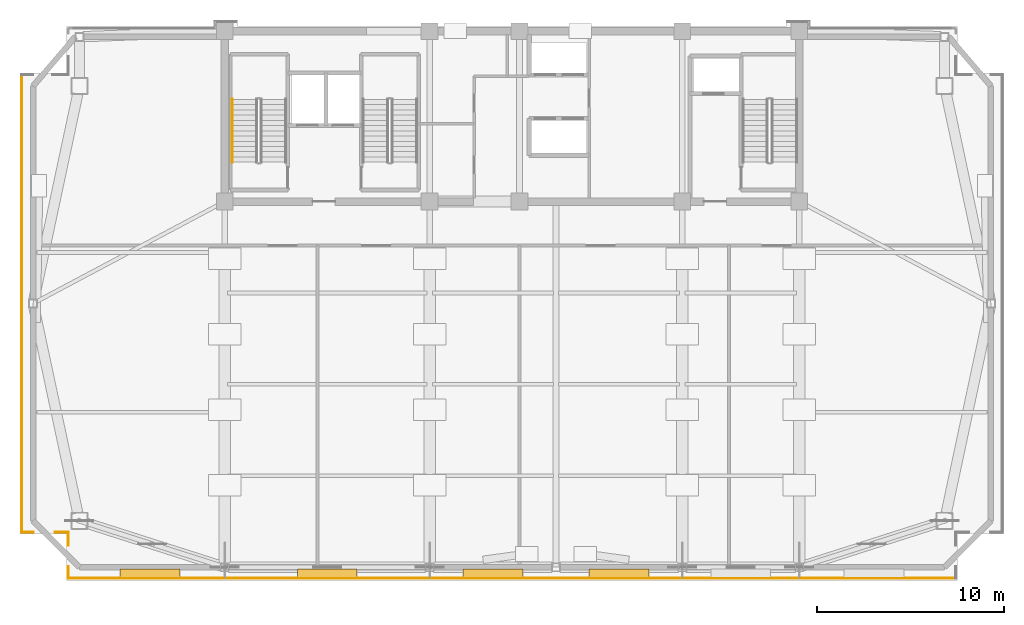
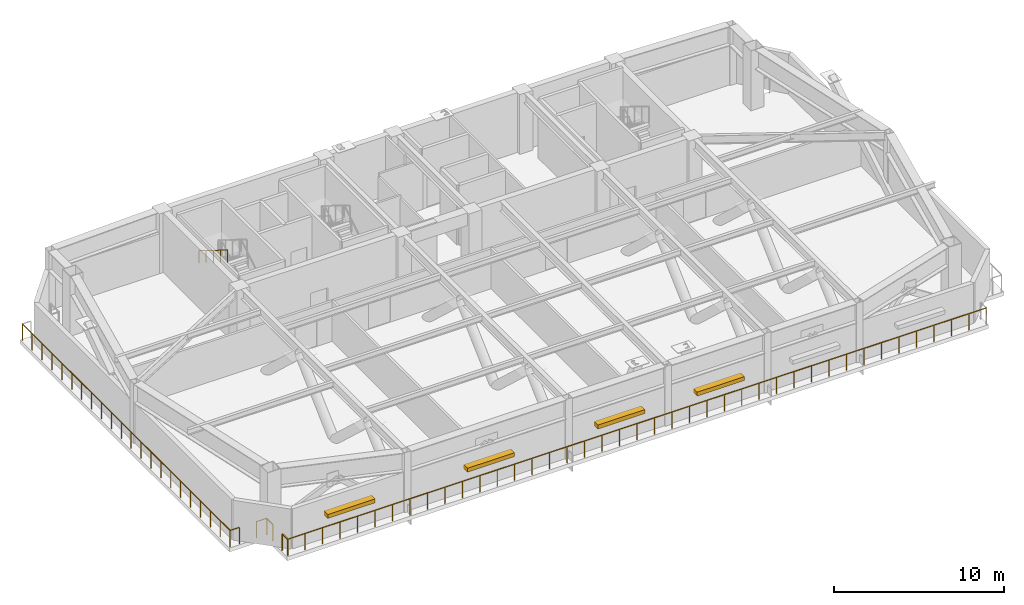
# One storey, part 6 of 8: 7 railings, 4 shading devices.
"""IFC4 building model written with IfcOpenShell, lengths in metres."""

from ifc_helpers import new_model, si_unit, direction, frame, origin, origin_2d, place, context, subcontext, project, spatial, rectangle, extrude, source, transform, mapped, material, type_object, element, save


model = new_model("IFC4")

# Units and contexts
model_context = context("Model", 3, precision=1e-05, world=origin(), true_north=direction((0.0, 1.0)))
body_context = subcontext(model_context, "Body", "Model", "MODEL_VIEW")
ifc_project = project(units=[si_unit("LENGTHUNIT", "METRE"), si_unit("AREAUNIT", "SQUARE_METRE"), si_unit("VOLUMEUNIT", "CUBIC_METRE"), si_unit("PLANEANGLEUNIT", "RADIAN"), si_unit("MASSUNIT", "GRAM", prefix="KILO")], contexts=[model_context])

# Site, building, storey
site_placement = place(None, origin())
site = spatial("IfcSite", under=ifc_project, at=site_placement, CompositionType="ELEMENT")
building_placement = place(site_placement, origin())
building = spatial("IfcBuilding", under=site, at=building_placement, Name="Giltprow Tower", CompositionType="ELEMENT")
storey_placement = place(building_placement, frame((0.0, 0.0, 285.89990234375)))
storey = spatial("IfcBuildingStorey", under=building, at=storey_placement, Name="L73", CompositionType="ELEMENT", Elevation=285.89990234375)

# Railings
ifc_material = material(Name="Anodized bronze", Category="metal")
railing_type_1 = type_object("IfcRailingType", Name="RAIL-BALC-GUARD-1200", PredefinedType="BALUSTRADE", material=ifc_material)
railing_1_placement = place(storey_placement, frame((58.9140625, 17.30810546875, 0.0)))
element("IfcRailing", 1, at=railing_1_placement, inside=storey, type_object=railing_type_1, Name="L73 Corner Apron Edge Balustrade 6", PredefinedType="BALUSTRADE", context=body_context, shape_type="SweptSolid", body=[
    extrude(rectangle(XDim=0.048095703125, YDim=0.048095703125, at=origin_2d()), frame((0.0, 0.0, 1.17578125), z_axis=(-1.0, 0.0, 0.0), x_axis=(0.0, -1.0, 0.0)), (0.0, 0.0, 1.0), 47.427978515625),
    extrude(rectangle(XDim=0.0419921875, YDim=0.0419921875, at=origin_2d()), origin(), (0.0, 0.0, 1.0), 1.15185546875),
    extrude(rectangle(XDim=0.0419921875, YDim=0.0419921875, at=origin_2d()), frame((-1.185791015625, 0.0, 0.0)), (0.0, 0.0, 1.0), 1.15185546875),
    extrude(rectangle(XDim=0.0419921875, YDim=0.0419921875, at=origin_2d()), frame((-2.371337890625, 0.0, 0.0)), (0.0, 0.0, 1.0), 1.15185546875),
    extrude(rectangle(XDim=0.0419921875, YDim=0.0419921875, at=origin_2d()), frame((-3.55712890625, 0.0, 0.0)), (0.0, 0.0, 1.0), 1.15185546875),
    extrude(rectangle(XDim=0.0419921875, YDim=0.0419921875, at=origin_2d()), frame((-4.74267578125, 0.0, 0.0)), (0.0, 0.0, 1.0), 1.15185546875),
    extrude(rectangle(XDim=0.0419921875, YDim=0.0419921875, at=origin_2d()), frame((-5.928466796875, 0.0, 0.0)), (0.0, 0.0, 1.0), 1.15185546875),
    extrude(rectangle(XDim=0.0419921875, YDim=0.0419921875, at=origin_2d()), frame((-7.1142578125, 0.0, 0.0)), (0.0, 0.0, 1.0), 1.15185546875),
    extrude(rectangle(XDim=0.0419921875, YDim=0.0419921875, at=origin_2d()), frame((-8.2998046875, 0.0, 0.0)), (0.0, 0.0, 1.0), 1.15185546875),
    extrude(rectangle(XDim=0.0419921875, YDim=0.0419921875, at=origin_2d()), frame((-9.485595703125, 0.0, 0.0)), (0.0, 0.0, 1.0), 1.15185546875),
    extrude(rectangle(XDim=0.0419921875, YDim=0.0419921875, at=origin_2d()), frame((-10.67138671875, 0.0, 0.0)), (0.0, 0.0, 1.0), 1.15185546875),
    extrude(rectangle(XDim=0.0419921875, YDim=0.0419921875, at=origin_2d()), frame((-11.85693359375, 0.0, 0.0)), (0.0, 0.0, 1.0), 1.15185546875),
    extrude(rectangle(XDim=0.0419921875, YDim=0.0419921875, at=origin_2d()), frame((-13.042724609375, 0.0, 0.0)), (0.0, 0.0, 1.0), 1.15185546875),
    extrude(rectangle(XDim=0.0419921875, YDim=0.0419921875, at=origin_2d()), frame((-14.228515625, 0.0, 0.0)), (0.0, 0.0, 1.0), 1.15185546875),
    extrude(rectangle(XDim=0.0419921875, YDim=0.0419921875, at=origin_2d()), frame((-15.4140625, 0.0, 0.0)), (0.0, 0.0, 1.0), 1.15185546875),
    extrude(rectangle(XDim=0.0419921875, YDim=0.0419921875, at=origin_2d()), frame((-16.599853515625, 0.0, 0.0)), (0.0, 0.0, 1.0), 1.15185546875),
    extrude(rectangle(XDim=0.0419921875, YDim=0.0419921875, at=origin_2d()), frame((-17.785400390625, 0.0, 0.0)), (0.0, 0.0, 1.0), 1.15185546875),
    extrude(rectangle(XDim=0.0419921875, YDim=0.0419921875, at=origin_2d()), frame((-18.97119140625, 0.0, 0.0)), (0.0, 0.0, 1.0), 1.15185546875),
    extrude(rectangle(XDim=0.0419921875, YDim=0.0419921875, at=origin_2d()), frame((-20.156982421875, 0.0, 0.0)), (0.0, 0.0, 1.0), 1.15185546875),
    extrude(rectangle(XDim=0.0419921875, YDim=0.0419921875, at=origin_2d()), frame((-21.342529296875, 0.0, 0.0)), (0.0, 0.0, 1.0), 1.15185546875),
    extrude(rectangle(XDim=0.0419921875, YDim=0.0419921875, at=origin_2d()), frame((-22.5283203125, 0.0, 0.0)), (0.0, 0.0, 1.0), 1.15185546875),
    extrude(rectangle(XDim=0.0419921875, YDim=0.0419921875, at=origin_2d()), frame((-23.7138671875, 0.0, 0.0)), (0.0, 0.0, 1.0), 1.15185546875),
    extrude(rectangle(XDim=0.0419921875, YDim=0.0419921875, at=origin_2d()), frame((-24.899658203125, 0.0, 0.0)), (0.0, 0.0, 1.0), 1.15185546875),
    extrude(rectangle(XDim=0.0419921875, YDim=0.0419921875, at=origin_2d()), frame((-26.08544921875, 0.0, 0.0)), (0.0, 0.0, 1.0), 1.15185546875),
    extrude(rectangle(XDim=0.0419921875, YDim=0.0419921875, at=origin_2d()), frame((-27.27099609375, 0.0, 0.0)), (0.0, 0.0, 1.0), 1.15185546875),
    extrude(rectangle(XDim=0.0419921875, YDim=0.0419921875, at=origin_2d()), frame((-28.456787109375, 0.0, 0.0)), (0.0, 0.0, 1.0), 1.15185546875),
    extrude(rectangle(XDim=0.0419921875, YDim=0.0419921875, at=origin_2d()), frame((-29.642578125, 0.0, 0.0)), (0.0, 0.0, 1.0), 1.15185546875),
    extrude(rectangle(XDim=0.0419921875, YDim=0.0419921875, at=origin_2d()), frame((-30.828125, 0.0, 0.0)), (0.0, 0.0, 1.0), 1.15185546875),
    extrude(rectangle(XDim=0.0419921875, YDim=0.0419921875, at=origin_2d()), frame((-32.013916015625, 0.0, 0.0)), (0.0, 0.0, 1.0), 1.15185546875),
    extrude(rectangle(XDim=0.0419921875, YDim=0.0419921875, at=origin_2d()), frame((-33.19970703125, 0.0, 0.0)), (0.0, 0.0, 1.0), 1.15185546875),
    extrude(rectangle(XDim=0.0419921875, YDim=0.0419921875, at=origin_2d()), frame((-34.38525390625, 0.0, 0.0)), (0.0, 0.0, 1.0), 1.15185546875),
    extrude(rectangle(XDim=0.0419921875, YDim=0.0419921875, at=origin_2d()), frame((-35.571044921875, 0.0, 0.0)), (0.0, 0.0, 1.0), 1.15185546875),
    extrude(rectangle(XDim=0.0419921875, YDim=0.0419921875, at=origin_2d()), frame((-36.756591796875, 0.0, 0.0)), (0.0, 0.0, 1.0), 1.15185546875),
    extrude(rectangle(XDim=0.0419921875, YDim=0.0419921875, at=origin_2d()), frame((-37.9423828125, 0.0, 0.0)), (0.0, 0.0, 1.0), 1.15185546875),
    extrude(rectangle(XDim=0.0419921875, YDim=0.0419921875, at=origin_2d()), frame((-39.128173828125, 0.0, 0.0)), (0.0, 0.0, 1.0), 1.15185546875),
    extrude(rectangle(XDim=0.0419921875, YDim=0.0419921875, at=origin_2d()), frame((-40.313720703125, 0.0, 0.0)), (0.0, 0.0, 1.0), 1.15185546875),
    extrude(rectangle(XDim=0.0419921875, YDim=0.0419921875, at=origin_2d()), frame((-41.49951171875, 0.0, 0.0)), (0.0, 0.0, 1.0), 1.15185546875),
    extrude(rectangle(XDim=0.0419921875, YDim=0.0419921875, at=origin_2d()), frame((-42.68505859375, 0.0, 0.0)), (0.0, 0.0, 1.0), 1.15185546875),
    extrude(rectangle(XDim=0.0419921875, YDim=0.0419921875, at=origin_2d()), frame((-43.870849609375, 0.0, 0.0)), (0.0, 0.0, 1.0), 1.15185546875),
    extrude(rectangle(XDim=0.0419921875, YDim=0.0419921875, at=origin_2d()), frame((-45.056640625, 0.0, 0.0)), (0.0, 0.0, 1.0), 1.15185546875),
    extrude(rectangle(XDim=0.0419921875, YDim=0.0419921875, at=origin_2d()), frame((-46.2421875, 0.0, 0.0)), (0.0, 0.0, 1.0), 1.15185546875),
    extrude(rectangle(XDim=0.0419921875, YDim=0.0419921875, at=origin_2d()), frame((-47.427978515625, 0.0, 0.0)), (0.0, 0.0, 1.0), 1.15185546875),
])
railing_2_placement = place(storey_placement, frame((11.486083984375, 17.30810546875, 0.0)))
element("IfcRailing", 2, at=railing_2_placement, inside=storey, type_object=railing_type_1, Name="L73 Corner Apron Edge Balustrade 7", PredefinedType="BALUSTRADE", context=body_context, shape_type="SweptSolid", body=[
    extrude(rectangle(XDim=0.048095703125, YDim=0.048095703125, at=origin_2d()), frame((0.0, 0.0, 1.17578125), z_axis=(0.0, 1.0, 0.0), x_axis=(-1.0, 0.0, 0.0)), (0.0, 0.0, 1.0), 0.619873046875),
    extrude(rectangle(XDim=0.0419921875, YDim=0.0419921875, at=origin_2d()), origin(), (0.0, 0.0, 1.0), 1.15185546875),
    extrude(rectangle(XDim=0.0419921875, YDim=0.0419921875, at=origin_2d()), frame((0.0, 0.619873046875, 0.0)), (0.0, 0.0, 1.0), 1.15185546875),
])
railing_3_placement = place(storey_placement, frame((11.486083984375, 19.087890625, 0.0)))
element("IfcRailing", 3, at=railing_3_placement, inside=storey, type_object=railing_type_1, Name="L73 Corner Apron Edge Balustrade 8", PredefinedType="BALUSTRADE", context=body_context, shape_type="SweptSolid", body=[
    extrude(rectangle(XDim=0.048095703125, YDim=0.048095703125, at=origin_2d()), frame((0.0, 0.0, 1.17578125), z_axis=(0.0, 1.0, 0.0), x_axis=(-1.0, 0.0, 0.0)), (0.0, 0.0, 1.0), 0.697021484375),
    extrude(rectangle(XDim=0.0419921875, YDim=0.0419921875, at=origin_2d()), origin(), (0.0, 0.0, 1.0), 1.15185546875),
    extrude(rectangle(XDim=0.0419921875, YDim=0.0419921875, at=origin_2d()), frame((0.0, 0.697021484375, 0.0)), (0.0, 0.0, 1.0), 1.15185546875),
])
railing_4_placement = place(storey_placement, frame((11.486083984375, 19.784912109375, 0.0)))
element("IfcRailing", 4, at=railing_4_placement, inside=storey, type_object=railing_type_1, Name="L73 Corner Apron Edge Balustrade 9", PredefinedType="BALUSTRADE", context=body_context, shape_type="SweptSolid", body=[
    extrude(rectangle(XDim=0.048095703125, YDim=0.048095703125, at=origin_2d()), frame((0.0, 0.0, 1.17578125), z_axis=(-1.0, 0.0, 0.0), x_axis=(0.0, -1.0, 0.0)), (0.0, 0.0, 1.0), 0.697021484375),
    extrude(rectangle(XDim=0.0419921875, YDim=0.0419921875, at=origin_2d()), origin(), (0.0, 0.0, 1.0), 1.15185546875),
    extrude(rectangle(XDim=0.0419921875, YDim=0.0419921875, at=origin_2d()), frame((-0.697021484375, 0.0, 0.0)), (0.0, 0.0, 1.0), 1.15185546875),
])
railing_5_placement = place(storey_placement, frame((9.62890625, 19.784912109375, 0.0)))
element("IfcRailing", 5, at=railing_5_placement, inside=storey, type_object=railing_type_1, Name="L73 Corner Apron Edge Balustrade 10", PredefinedType="BALUSTRADE", context=body_context, shape_type="SweptSolid", body=[
    extrude(rectangle(XDim=0.048095703125, YDim=0.048095703125, at=origin_2d()), frame((0.0, 0.0, 1.17578125), z_axis=(-1.0, 0.0, 0.0), x_axis=(0.0, -1.0, 0.0)), (0.0, 0.0, 1.0), 0.619873046875),
    extrude(rectangle(XDim=0.0419921875, YDim=0.0419921875, at=origin_2d()), origin(), (0.0, 0.0, 1.0), 1.15185546875),
    extrude(rectangle(XDim=0.0419921875, YDim=0.0419921875, at=origin_2d()), frame((-0.619873046875, 0.0, 0.0)), (0.0, 0.0, 1.0), 1.15185546875),
])
railing_6_placement = place(storey_placement, frame((9.009033203125, 19.784912109375, 0.0)))
element("IfcRailing", 6, at=railing_6_placement, inside=storey, type_object=railing_type_1, Name="L73 Corner Apron Edge Balustrade 11", PredefinedType="BALUSTRADE", context=body_context, shape_type="SweptSolid", body=[
    extrude(rectangle(XDim=0.048095703125, YDim=0.048095703125, at=origin_2d()), frame((0.0, 0.0, 1.17578125), z_axis=(0.0, 1.0, 0.0), x_axis=(-1.0, 0.0, 0.0)), (0.0, 0.0, 1.0), 24.43701171875),
    extrude(rectangle(XDim=0.0419921875, YDim=0.0419921875, at=origin_2d()), origin(), (0.0, 0.0, 1.0), 1.15185546875),
    extrude(rectangle(XDim=0.0419921875, YDim=0.0419921875, at=origin_2d()), frame((0.0, 1.16357421875, 0.0)), (0.0, 0.0, 1.0), 1.15185546875),
    extrude(rectangle(XDim=0.0419921875, YDim=0.0419921875, at=origin_2d()), frame((0.0, 2.327392578125, 0.0)), (0.0, 0.0, 1.0), 1.15185546875),
    extrude(rectangle(XDim=0.0419921875, YDim=0.0419921875, at=origin_2d()), frame((0.0, 3.490966796875, 0.0)), (0.0, 0.0, 1.0), 1.15185546875),
    extrude(rectangle(XDim=0.0419921875, YDim=0.0419921875, at=origin_2d()), frame((0.0, 4.65478515625, 0.0)), (0.0, 0.0, 1.0), 1.15185546875),
    extrude(rectangle(XDim=0.0419921875, YDim=0.0419921875, at=origin_2d()), frame((0.0, 5.818359375, 0.0)), (0.0, 0.0, 1.0), 1.15185546875),
    extrude(rectangle(XDim=0.0419921875, YDim=0.0419921875, at=origin_2d()), frame((0.0, 6.98193359375, 0.0)), (0.0, 0.0, 1.0), 1.15185546875),
    extrude(rectangle(XDim=0.0419921875, YDim=0.0419921875, at=origin_2d()), frame((0.0, 8.145751953125, 0.0)), (0.0, 0.0, 1.0), 1.15185546875),
    extrude(rectangle(XDim=0.0419921875, YDim=0.0419921875, at=origin_2d()), frame((0.0, 9.309326171875, 0.0)), (0.0, 0.0, 1.0), 1.15185546875),
    extrude(rectangle(XDim=0.0419921875, YDim=0.0419921875, at=origin_2d()), frame((0.0, 10.472900390625, 0.0)), (0.0, 0.0, 1.0), 1.15185546875),
    extrude(rectangle(XDim=0.0419921875, YDim=0.0419921875, at=origin_2d()), frame((0.0, 11.63671875, 0.0)), (0.0, 0.0, 1.0), 1.15185546875),
    extrude(rectangle(XDim=0.0419921875, YDim=0.0419921875, at=origin_2d()), frame((0.0, 12.80029296875, 0.0)), (0.0, 0.0, 1.0), 1.15185546875),
    extrude(rectangle(XDim=0.0419921875, YDim=0.0419921875, at=origin_2d()), frame((0.0, 13.964111328125, 0.0)), (0.0, 0.0, 1.0), 1.15185546875),
    extrude(rectangle(XDim=0.0419921875, YDim=0.0419921875, at=origin_2d()), frame((0.0, 15.127685546875, 0.0)), (0.0, 0.0, 1.0), 1.15185546875),
    extrude(rectangle(XDim=0.0419921875, YDim=0.0419921875, at=origin_2d()), frame((0.0, 16.291259765625, 0.0)), (0.0, 0.0, 1.0), 1.15185546875),
    extrude(rectangle(XDim=0.0419921875, YDim=0.0419921875, at=origin_2d()), frame((0.0, 17.455078125, 0.0)), (0.0, 0.0, 1.0), 1.15185546875),
    extrude(rectangle(XDim=0.0419921875, YDim=0.0419921875, at=origin_2d()), frame((0.0, 18.61865234375, 0.0)), (0.0, 0.0, 1.0), 1.15185546875),
    extrude(rectangle(XDim=0.0419921875, YDim=0.0419921875, at=origin_2d()), frame((0.0, 19.7822265625, 0.0)), (0.0, 0.0, 1.0), 1.15185546875),
    extrude(rectangle(XDim=0.0419921875, YDim=0.0419921875, at=origin_2d()), frame((0.0, 20.946044921875, 0.0)), (0.0, 0.0, 1.0), 1.15185546875),
    extrude(rectangle(XDim=0.0419921875, YDim=0.0419921875, at=origin_2d()), frame((0.0, 22.109619140625, 0.0)), (0.0, 0.0, 1.0), 1.15185546875),
    extrude(rectangle(XDim=0.0419921875, YDim=0.0419921875, at=origin_2d()), frame((0.0, 23.2734375, 0.0)), (0.0, 0.0, 1.0), 1.15185546875),
    extrude(rectangle(XDim=0.0419921875, YDim=0.0419921875, at=origin_2d()), frame((0.0, 24.43701171875, 0.0)), (0.0, 0.0, 1.0), 1.15185546875),
])
railing_type_2 = type_object("IfcRailingType", Name="RAIL-STAIR-HAND-900", PredefinedType="HANDRAIL", material=ifc_material)
railing_7_placement = place(storey_placement, frame((20.25, 42.909912109375, 2.423095703125)))
element("IfcRailing", 7, at=railing_7_placement, inside=storey, type_object=railing_type_2, Name="L73 ST-1 stair handrail 2", PredefinedType="HANDRAIL", context=body_context, shape_type="SweptSolid", body=[
    extrude(rectangle(XDim=0.048095703125, YDim=0.048095703125, at=origin_2d()), frame((0.0, 0.0, 0.8759765625), z_axis=(0.0, -0.850606129759, 0.525803396734), x_axis=(1.0, 0.0, 0.0)), (0.0, 0.0, 1.0), 3.949951171875),
    extrude(rectangle(XDim=0.0419921875, YDim=0.0419921875, at=origin_2d()), origin(), (0.0, 0.0, 1.0), 0.851806640625),
    extrude(rectangle(XDim=0.0419921875, YDim=0.0419921875, at=origin_2d()), frame((0.0, -0.83984375, 0.519287109375)), (0.0, 0.0, 1.0), 0.851806640625),
    extrude(rectangle(XDim=0.0419921875, YDim=0.0419921875, at=origin_2d()), frame((0.0, -1.679931640625, 1.03857421875)), (0.0, 0.0, 1.0), 0.851806640625),
    extrude(rectangle(XDim=0.0419921875, YDim=0.0419921875, at=origin_2d()), frame((0.0, -2.52001953125, 1.5576171875)), (0.0, 0.0, 1.0), 0.851806640625),
    extrude(rectangle(XDim=0.0419921875, YDim=0.0419921875, at=origin_2d()), frame((0.0, -3.35986328125, 2.076904296875)), (0.0, 0.0, 1.0), 0.851806640625),
])

# Shading devices
shading_device_type = type_object("IfcShadingDeviceType", Name="SHD-LOUVRE-320", PredefinedType="JALOUSIE", material=ifc_material)
shared_shape = source(origin(), body_context, "Body", "SweptSolid", [
    extrude(rectangle(XDim=3.199951171875, YDim=0.449951171875, at=origin_2d()), origin(), (0.0, 0.0, 1.0), 0.280029296875),
])
for number, where, z_axis, x_axis, name in (
    (8, (15.85498046875, 17.597900390625, 1.66015625), (0.0, 0.0, 1.0), (1.0, 0.0, 0.0), "L73 Refuge Intake Louvre S-1"),
    (9, (25.324951171875, 17.597900390625, 1.66015625), (0.0, 0.0, 1.0), (1.0, 0.0, 0.0), "L73 Refuge Intake Louvre S-2"),
    (10, (34.175048828125, 17.597900390625, 1.66015625), (0.0, 0.0, 1.0), (1.0, 0.0, 0.0), "L73 Refuge Intake Louvre S-3"),
    (11, (40.925048828125, 17.597900390625, 1.66015625), (0.0, 0.0, 1.0), (1.0, 0.0, 0.0), "L73 Refuge Intake Louvre S-4"),
):
    element("IfcShadingDevice", number, at=place(storey_placement, frame(where, z_axis=z_axis, x_axis=x_axis)), inside=storey, type_object=shading_device_type, Name=name, PredefinedType="JALOUSIE", context=body_context, shape_type="MappedRepresentation", body=[
        mapped(shared_shape, transform((0.0, 0.0, 0.0), x_axis=(1.0, 0.0, 0.0), y_axis=(0.0, 1.0, 0.0), z_axis=(0.0, 0.0, 1.0), scale=1.0)),
    ])

save(model, "model.ifc")
